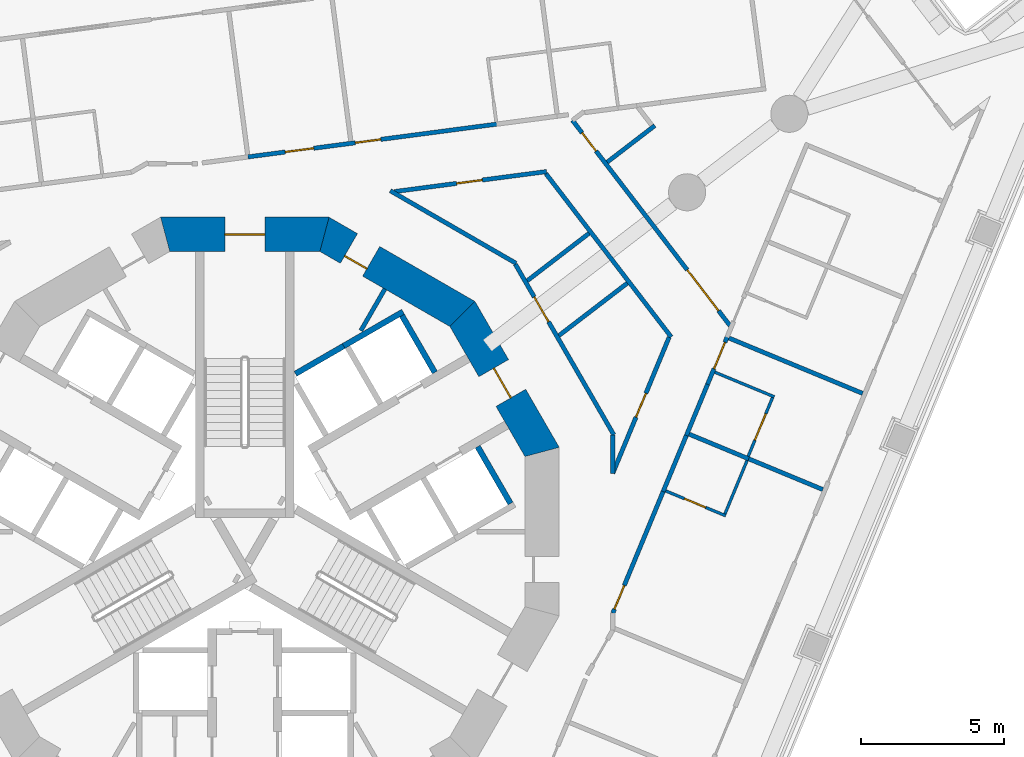
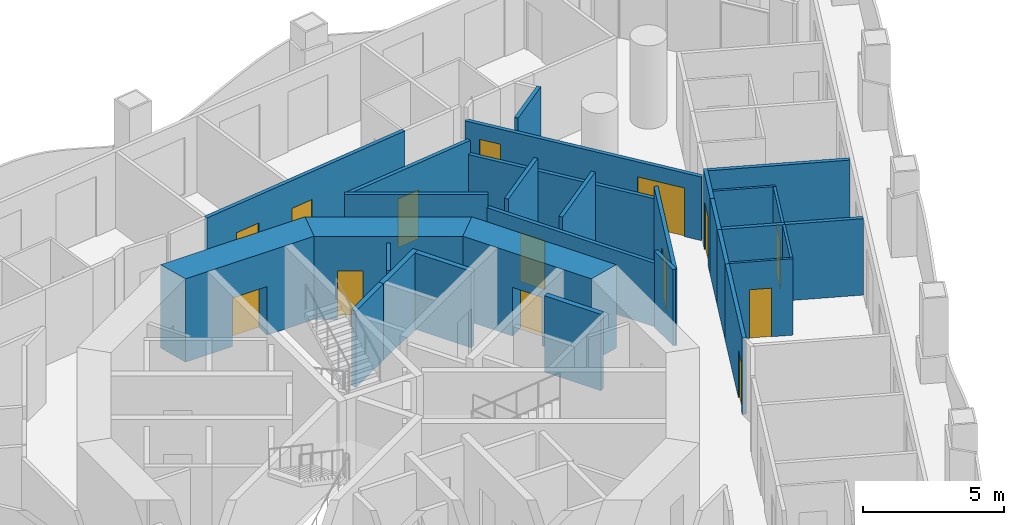
# One storey, part 9 of 19: 30 walls, 14 doors, 14 openings.
"""IFC4 building model written with IfcOpenShell, lengths in metres."""

from ifc_helpers import new_model, si_unit, direction, frame, frame_2d, origin, place, context, subcontext, project, spatial, polyline, rectangle, outline, extrude, material, layer, layer_set, type_object, element, fill, save


model = new_model("IFC4")

# Units and contexts
model_context = context("Model", 3, precision=1e-05, world=origin(), true_north=direction((0.0, 1.0)))
body_context = subcontext(model_context, "Body", "Model", "MODEL_VIEW")
ifc_project = project(units=[si_unit("LENGTHUNIT", "METRE"), si_unit("AREAUNIT", "SQUARE_METRE"), si_unit("VOLUMEUNIT", "CUBIC_METRE"), si_unit("PLANEANGLEUNIT", "RADIAN"), si_unit("MASSUNIT", "GRAM", prefix="KILO")], contexts=[model_context])

# Site, building, storey
site_placement = place(None, origin())
site = spatial("IfcSite", under=ifc_project, at=site_placement, CompositionType="ELEMENT")
building_placement = place(site_placement, origin())
building = spatial("IfcBuilding", under=site, at=building_placement, Name="Trine Commons Tower", CompositionType="ELEMENT")
storey_placement = place(building_placement, frame((0.0, 0.0, 64.800048828125)))
storey = spatial("IfcBuildingStorey", under=building, at=storey_placement, Name="L15", CompositionType="ELEMENT", Elevation=64.800048828125)

# Wall
ifc_material_1 = material(Name="Plasterboard partition on steel studs", Category="steel")
ifc_layer_1 = layer(ifc_material_1, 0.14990234375)
ifc_layer_set_1 = layer_set([ifc_layer_1], Name="Plasterboard partition on steel studs")
wall_type_1 = type_object("IfcWallType", Name="Core room partition 150 mm, EI 60", PredefinedType="PARTITIONING", material=ifc_layer_set_1)
wall_1_placement = place(storey_placement, frame((84.905029296875, 70.9970703125, 0.0), z_axis=(0.0, 0.0, 1.0), x_axis=(-0.500115728942, -0.865958577338, 0.0)))
element("IfcWall", 1, at=wall_1_placement, inside=storey, type_object=wall_type_1, Name="Core room partition L15", PredefinedType="PARTITIONING", context=body_context, shape_type="SweptSolid", body=[
    extrude(rectangle(XDim=1.68359375, YDim=0.14990234375, at=frame_2d((0.841796875, 0.0))), origin(), (0.0, 0.0, 1.0), 3.300048828125),
])

# Wall, opening, door
ifc_material_2 = material(Name="Concrete C80/95", Category="concrete")
ifc_layer_2 = layer(ifc_material_2, 1.199951171875)
ifc_layer_set_2 = layer_set([ifc_layer_2], Name="Concrete C80/95")
wall_type_2 = type_object("IfcWallType", Name="RC shear wall 1200 mm, C80/95", PredefinedType="SHEAR", material=ifc_layer_set_2)
wall_2_placement = place(storey_placement, frame((90.491943359375, 65.150390625, 0.0), z_axis=(0.0, 0.0, 1.0), x_axis=(-0.499979111662, 0.866037463336, 0.0)))
wall_2 = element("IfcWall", 2, at=wall_2_placement, inside=storey, type_object=wall_type_2, Name="Core wall CWB-02 L15", PredefinedType="SHEAR", context=body_context, shape_type="SweptSolid", body=[
    extrude(outline(polyline([(0.0, -0.60009765625), (5.901123046875, -0.60009765625), (5.57958984375, 0.60009765625), (0.321533203125, 0.60009765625), (0.0, -0.60009765625)])), origin(), (0.0, 0.0, 1.0), 3.599853515625),
])
opening_1_placement = place(wall_2_placement, frame((2.3505859375, 0.0, 0.0)))
opening_1 = element("IfcOpeningElement", 3, at=opening_1_placement, cuts=wall_2, Name="Opening K06.04", PredefinedType="OPENING", context=body_context, shape_type="SweptSolid", body=[
    extrude(rectangle(XDim=1.199951171875, YDim=2.10009765625, at=frame_2d((0.60009765625, 1.050048828125))), frame((0.0, 0.60986328125, 0.0), z_axis=(0.0, -1.0, 0.0), x_axis=(1.0, 0.0, 0.0)), (0.0, 0.0, 1.0), 1.219970703125),
])
ifc_material_3 = material(Name="Steel door leaves, fire-rated", Category="steel")
door_type_1 = type_object("IfcDoorType", Name="Lobby door, double leaf 1200 x 2100, FD60", OperationType="DOUBLE_DOOR_SINGLE_SWING", PredefinedType="DOOR", material=ifc_material_3)
door_1_placement = place(opening_1_placement, origin())
door_1 = element("IfcDoor", 4, at=door_1_placement, inside=storey, type_object=door_type_1, Name="Lobby door, Passenger lift lobby A L15", OperationType="DOUBLE_DOOR_SINGLE_SWING", OverallHeight=2.10009765625, OverallWidth=1.199951171875, PredefinedType="DOOR", context=body_context, shape_type="SweptSolid", body=[
    extrude(rectangle(XDim=1.199951171875, YDim=2.10009765625, at=frame_2d((0.60009765625, 1.050048828125))), frame((0.0, 0.02490234375, 0.0), z_axis=(0.0, -1.0, 0.0), x_axis=(1.0, 0.0, 0.0)), (0.0, 0.0, 1.0), 0.050048828125),
])
fill(opening_1, door_1)

wall_3_placement = place(storey_placement, frame((87.760986328125, 70.04150390625, 0.0), z_axis=(0.0, 0.0, 1.0), x_axis=(-0.866037463336, 0.499979111662, 0.0)))
wall_3 = element("IfcWall", 5, at=wall_3_placement, inside=storey, type_object=wall_type_2, Name="Core wall CWB-03 L15", PredefinedType="SHEAR", context=body_context, shape_type="SweptSolid", body=[
    extrude(outline(polyline([(0.0, -0.60009765625), (5.901123046875, -0.60009765625), (5.57958984375, 0.60009765625), (0.321533203125, 0.60009765625), (0.0, -0.60009765625)])), origin(), (0.0, 0.0, 1.0), 3.599853515625),
])
opening_2_placement = place(wall_3_placement, frame((3.8515625, 0.0, 0.0)))
opening_2 = element("IfcOpeningElement", 6, at=opening_2_placement, cuts=wall_3, Name="Opening K06.12", PredefinedType="OPENING", context=body_context, shape_type="SweptSolid", body=[
    extrude(rectangle(XDim=0.89990234375, YDim=2.10009765625, at=frame_2d((0.449951171875, 1.050048828125))), frame((0.0, 0.60986328125, 0.0), z_axis=(0.0, -1.0, 0.0), x_axis=(1.0, 0.0, 0.0)), (0.0, 0.0, 1.0), 1.219970703125),
])
ifc_material_4 = material(Name="Steel door leaf, fire-rated", Category="steel")
door_type_2 = type_object("IfcDoorType", Name="Core room door, single leaf 900 x 2100, FD30S", OperationType="SINGLE_SWING_LEFT", PredefinedType="DOOR", material=ifc_material_4)
door_2_placement = place(opening_2_placement, origin())
door_2 = element("IfcDoor", 7, at=door_2_placement, inside=storey, type_object=door_type_2, Name="Door to Cleaner's store L15", OperationType="SINGLE_SWING_RIGHT", OverallHeight=2.10009765625, OverallWidth=0.89990234375, PredefinedType="DOOR", context=body_context, shape_type="SweptSolid", body=[
    extrude(rectangle(XDim=0.89990234375, YDim=2.10009765625, at=frame_2d((0.449951171875, 1.050048828125))), frame((0.0, 0.3251953125, 0.0), z_axis=(0.0, -1.0, 0.0), x_axis=(1.0, 0.0, 0.0)), (0.0, 0.0, 1.0), 0.050048828125),
])
fill(opening_2, door_2)

wall_4_placement = place(storey_placement, frame((82.950439453125, 72.91162109375, 0.0), z_axis=(0.0, 0.0, 1.0), x_axis=(-1.0, 0.0, 0.0)))
wall_4 = element("IfcWall", 8, at=wall_4_placement, inside=storey, type_object=wall_type_2, Name="Core wall CWB-04 L15", PredefinedType="SHEAR", context=body_context, shape_type="SweptSolid", body=[
    extrude(outline(polyline([(0.0, -0.60009765625), (5.90087890625, -0.60009765625), (5.57958984375, 0.60009765625), (0.321533203125, 0.60009765625), (0.0, -0.60009765625)])), origin(), (0.0, 0.0, 1.0), 3.599853515625),
])
opening_3_placement = place(wall_4_placement, frame((2.25048828125, 0.0, 0.0)))
opening_3 = element("IfcOpeningElement", 9, at=opening_3_placement, cuts=wall_4, Name="Opening K06.01", PredefinedType="OPENING", context=body_context, shape_type="SweptSolid", body=[
    extrude(rectangle(XDim=1.39990234375, YDim=2.10009765625, at=frame_2d((0.699951171875, 1.050048828125))), frame((0.0, 0.60986328125, 0.0), z_axis=(0.0, -1.0, 0.0), x_axis=(1.0, 0.0, 0.0)), (0.0, 0.0, 1.0), 1.219970703125),
])
door_type_3 = type_object("IfcDoorType", Name="Stair door, double leaf 1400 x 2100, FD90", OperationType="DOUBLE_DOOR_SINGLE_SWING", PredefinedType="DOOR", material=ifc_material_3)
door_3_placement = place(opening_3_placement, origin())
door_3 = element("IfcDoor", 10, at=door_3_placement, inside=storey, type_object=door_type_3, Name="Stair door to Exit stair ST1A L15", OperationType="DOUBLE_DOOR_SINGLE_SWING", OverallHeight=2.10009765625, OverallWidth=1.39990234375, PredefinedType="DOOR", context=body_context, shape_type="SweptSolid", body=[
    extrude(rectangle(XDim=1.39990234375, YDim=2.10009765625, at=frame_2d((0.699951171875, 1.050048828125))), frame((0.0, 0.02490234375, 0.0), z_axis=(0.0, -1.0, 0.0), x_axis=(1.0, 0.0, 0.0)), (0.0, 0.0, 1.0), 0.050048828125),
])
fill(opening_3, door_3)

# Walls
ifc_material_5 = material(Name="Fire-rated gypsum shaft wall system")
ifc_layer_3 = layer(ifc_material_5, 0.199951171875)
ifc_layer_set_3 = layer_set([ifc_layer_3], Name="Fire-rated gypsum shaft wall system")
wall_type_3 = type_object("IfcWallType", Name="Shaft wall 200 mm, EI 120", PredefinedType="PARTITIONING", material=ifc_layer_set_3)
wall_5_placement = place(storey_placement, frame((81.77490234375, 68.028076171875, 0.0), z_axis=(0.0, 0.0, 1.0), x_axis=(0.866052014814, 0.499953905513, 0.0)))
element("IfcWall", 11, at=wall_5_placement, inside=storey, type_object=wall_type_3, Name="Shaft wall L15", PredefinedType="PARTITIONING", context=body_context, shape_type="SweptSolid", body=[
    extrude(rectangle(XDim=1.947998046875, YDim=0.199951171875, at=frame_2d((0.97412109375, 0.0))), origin(), (0.0, 0.0, 1.0), 3.300048828125),
])
wall_6_placement = place(storey_placement, frame((83.4619140625, 69.001953125, 0.0), z_axis=(0.0, 0.0, 1.0), x_axis=(0.866202511239, 0.499693115345, 0.0)))
element("IfcWall", 12, at=wall_6_placement, inside=storey, type_object=wall_type_3, Name="Shaft wall L15", PredefinedType="PARTITIONING", context=body_context, shape_type="SweptSolid", body=[
    extrude(rectangle(XDim=2.4013671875, YDim=0.199951171875, at=frame_2d((1.20068359375, 0.0))), origin(), (0.0, 0.0, 1.0), 3.300048828125),
])
wall_7_placement = place(storey_placement, frame((86.655029296875, 68.073974609375, 0.0), z_axis=(0.0, 0.0, 1.0), x_axis=(-0.500215680983, 0.865900844496, 0.0)))
element("IfcWall", 13, at=wall_7_placement, inside=storey, type_object=wall_type_3, Name="Shaft wall L15", PredefinedType="PARTITIONING", context=body_context, shape_type="SweptSolid", body=[
    extrude(rectangle(XDim=2.29931640625, YDim=0.199951171875, at=frame_2d((1.149658203125, 0.0))), origin(), (0.0, 0.0, 1.0), 3.300048828125),
])
wall_8_placement = place(storey_placement, frame((88.155029296875, 65.47607421875, 0.0), z_axis=(0.0, 0.0, 1.0), x_axis=(0.500136062276, -0.86594683394, 0.0)))
element("IfcWall", 14, at=wall_8_placement, inside=storey, type_object=wall_type_3, Name="Shaft wall L15", PredefinedType="PARTITIONING", context=body_context, shape_type="SweptSolid", body=[
    extrude(rectangle(XDim=2.299072265625, YDim=0.199951171875, at=frame_2d((1.1494140625, 0.0))), origin(), (0.0, 0.0, 1.0), 3.300048828125),
])

# Wall, openings, doors
ifc_material_6 = material(Name="Gypsum plasterboard on steel stud", Category="steel")
ifc_layer_4 = layer(ifc_material_6, 0.14990234375)
ifc_layer_set_4 = layer_set([ifc_layer_4], Name="Gypsum plasterboard on steel stud")
wall_type_4 = type_object("IfcWallType", Name="Unit and corridor wall 150 mm, EI 60", PredefinedType="PARTITIONING", material=ifc_layer_set_4)
wall_9_placement = place(storey_placement, frame((80.10595703125, 75.623046875, 0.0), z_axis=(0.0, 0.0, 1.0), x_axis=(0.991433413037, 0.130613121525, 0.0)))
wall_9 = element("IfcWall", 15, at=wall_9_placement, inside=storey, type_object=wall_type_4, Name="Partition 081", PredefinedType="PARTITIONING", context=body_context, shape_type="SweptSolid", body=[
    extrude(rectangle(XDim=8.83935546875, YDim=0.14990234375, at=frame_2d((4.419677734375, 0.0))), origin(), (0.0, 0.0, 1.0), 3.300048828125),
])
opening_4_placement = place(wall_9_placement, frame((1.32568359375, 0.0, 0.0)))
opening_4 = element("IfcOpeningElement", 16, at=opening_4_placement, cuts=wall_9, Name="Opening D-2B11", PredefinedType="OPENING", context=body_context, shape_type="SweptSolid", body=[
    extrude(rectangle(XDim=1.0, YDim=2.10009765625, at=frame_2d((0.5, 1.050048828125))), frame((0.0, 0.0849609375, 0.0), z_axis=(0.0, -1.0, 0.0), x_axis=(1.0, 0.0, 0.0)), (0.0, 0.0, 1.0), 0.169921875),
])
opening_5_placement = place(wall_9_placement, frame((3.79736328125, 0.0, 0.0)))
opening_5 = element("IfcOpeningElement", 17, at=opening_5_placement, cuts=wall_9, Name="Opening D-2B12", PredefinedType="OPENING", context=body_context, shape_type="SweptSolid", body=[
    extrude(rectangle(XDim=0.89990234375, YDim=2.10009765625, at=frame_2d((0.449951171875, 1.050048828125))), frame((0.0, 0.0849609375, 0.0), z_axis=(0.0, -1.0, 0.0), x_axis=(1.0, 0.0, 0.0)), (0.0, 0.0, 1.0), 0.169921875),
])
ifc_material_7 = material(Name="Painted timber", Category="wood")
door_type_4 = type_object("IfcDoorType", Name="Amenity room door 1000 x 2100, NOT RATED", OperationType="NOTDEFINED", PredefinedType="DOOR", material=ifc_material_7)
door_4_placement = place(opening_4_placement, origin())
door_4 = element("IfcDoor", 18, at=door_4_placement, inside=storey, type_object=door_type_4, Name="Door D-2B11", OperationType="SINGLE_SWING_LEFT", OverallHeight=2.10009765625, OverallWidth=1.0, PredefinedType="DOOR", context=body_context, shape_type="SweptSolid", body=[
    extrude(rectangle(XDim=1.0, YDim=2.10009765625, at=frame_2d((0.5, 1.050048828125))), frame((0.0, 0.02490234375, 0.0), z_axis=(0.0, -1.0, 0.0), x_axis=(1.0, 0.0, 0.0)), (0.0, 0.0, 1.0), 0.050048828125),
])
fill(opening_4, door_4)
ifc_material_8 = material(Name="Timber fire door set", Category="wood")
door_type_5 = type_object("IfcDoorType", Name="Bedroom door 900 x 2100, FD30S", OperationType="NOTDEFINED", PredefinedType="DOOR", material=ifc_material_8)
door_5_placement = place(opening_5_placement, origin())
door_5 = element("IfcDoor", 19, at=door_5_placement, inside=storey, type_object=door_type_5, Name="Door D-2B12", OperationType="SINGLE_SWING_LEFT", OverallHeight=2.10009765625, OverallWidth=0.89990234375, PredefinedType="DOOR", context=body_context, shape_type="SweptSolid", body=[
    extrude(rectangle(XDim=0.89990234375, YDim=2.10009765625, at=frame_2d((0.449951171875, 1.050048828125))), frame((0.0, 0.02490234375, 0.0), z_axis=(0.0, -1.0, 0.0), x_axis=(1.0, 0.0, 0.0)), (0.0, 0.0, 1.0), 0.050048828125),
])
fill(opening_5, door_5)

# Wall
wall_10_placement = place(storey_placement, frame((85.095947265625, 74.4384765625, 0.0), z_axis=(0.0, 0.0, 1.0), x_axis=(0.866036051865, -0.49998155653, 0.0)))
element("IfcWall", 20, at=wall_10_placement, inside=storey, type_object=wall_type_4, Name="Partition 091", PredefinedType="PARTITIONING", context=body_context, shape_type="SweptSolid", body=[
    extrude(rectangle(XDim=5.084228515625, YDim=0.14990234375, at=frame_2d((2.5419921875, 0.0))), origin(), (0.0, 0.0, 1.0), 3.300048828125),
])

# Wall, opening, door
wall_11_placement = place(storey_placement, frame((85.23828125, 74.40869140625, 0.0), z_axis=(0.0, 0.0, 1.0), x_axis=(0.991440693098, 0.130557849512, 0.0)))
wall_11 = element("IfcWall", 21, at=wall_11_placement, inside=storey, type_object=wall_type_4, Name="Partition 093", PredefinedType="PARTITIONING", context=body_context, shape_type="SweptSolid", body=[
    extrude(rectangle(XDim=5.378173828125, YDim=0.14990234375, at=frame_2d((2.68896484375, 0.0))), origin(), (0.0, 0.0, 1.0), 3.300048828125),
])
opening_6_placement = place(wall_11_placement, frame((2.201416015625, 0.0, 0.0)))
opening_6 = element("IfcOpeningElement", 22, at=opening_6_placement, cuts=wall_11, Name="Opening D-2B33", PredefinedType="OPENING", context=body_context, shape_type="SweptSolid", body=[
    extrude(rectangle(XDim=0.89990234375, YDim=2.10009765625, at=frame_2d((0.449951171875, 1.050048828125))), frame((0.0, 0.0849609375, 0.0), z_axis=(0.0, -1.0, 0.0), x_axis=(1.0, 0.0, 0.0)), (0.0, 0.0, 1.0), 0.169921875),
])
door_type_6 = type_object("IfcDoorType", Name="Service door 900 x 2100, FD30S", OperationType="NOTDEFINED", PredefinedType="DOOR", material=ifc_material_8)
door_6_placement = place(opening_6_placement, frame((0.89990234375, 0.0, 0.0), z_axis=(0.0, 0.0, 1.0), x_axis=(-1.0, 0.0, 0.0)))
door_6 = element("IfcDoor", 23, at=door_6_placement, inside=storey, type_object=door_type_6, Name="Door D-2B33", OperationType="SINGLE_SWING_RIGHT", OverallHeight=2.10009765625, OverallWidth=0.89990234375, PredefinedType="DOOR", context=body_context, shape_type="SweptSolid", body=[
    extrude(rectangle(XDim=0.89990234375, YDim=2.10009765625, at=frame_2d((0.449951171875, 1.050048828125))), frame((0.0, 0.02490234375, 0.0), z_axis=(0.0, -1.0, 0.0), x_axis=(1.0, 0.0, 0.0)), (0.0, 0.0, 1.0), 0.050048828125),
])
fill(opening_6, door_6)

wall_12_placement = place(storey_placement, frame((89.471435546875, 71.868896484375, 0.0), z_axis=(0.0, 0.0, 1.0), x_axis=(0.50000193825, -0.866024284732, 0.0)))
wall_12 = element("IfcWall", 24, at=wall_12_placement, inside=storey, type_object=wall_type_4, Name="Partition 110", PredefinedType="PARTITIONING", context=body_context, shape_type="SweptSolid", body=[
    extrude(rectangle(XDim=6.90625, YDim=0.14990234375, at=frame_2d((3.453125, 0.0))), origin(), (0.0, 0.0, 1.0), 2.75),
])
opening_7_placement = place(wall_12_placement, frame((1.3330078125, 0.0, 0.0)))
opening_7 = element("IfcOpeningElement", 25, at=opening_7_placement, cuts=wall_12, Name="Opening D-2B37", PredefinedType="OPENING", context=body_context, shape_type="SweptSolid", body=[
    extrude(rectangle(XDim=1.0, YDim=2.10009765625, at=frame_2d((0.5, 1.050048828125))), frame((0.0, 0.0849609375, 0.0), z_axis=(0.0, -1.0, 0.0), x_axis=(1.0, 0.0, 0.0)), (0.0, 0.0, 1.0), 0.169921875),
])
door_type_7 = type_object("IfcDoorType", Name="Toilet door 1000 x 2100, NOT RATED", OperationType="NOTDEFINED", PredefinedType="DOOR", material=ifc_material_7)
door_7_placement = place(opening_7_placement, origin())
door_7 = element("IfcDoor", 26, at=door_7_placement, inside=storey, type_object=door_type_7, Name="Door D-2B37", OperationType="SINGLE_SWING_LEFT", OverallHeight=2.10009765625, OverallWidth=1.0, PredefinedType="DOOR", context=body_context, shape_type="SweptSolid", body=[
    extrude(rectangle(XDim=1.0, YDim=2.10009765625, at=frame_2d((0.5, 1.050048828125))), frame((0.0, 0.02490234375, 0.0), z_axis=(0.0, -1.0, 0.0), x_axis=(1.0, 0.0, 0.0)), (0.0, 0.0, 1.0), 0.050048828125),
])
fill(opening_7, door_7)

# Walls
wall_13_placement = place(storey_placement, frame((89.892578125, 71.28759765625, 0.0), z_axis=(0.0, 0.0, 1.0), x_axis=(0.793249929781, 0.608896172515, 0.0)))
element("IfcWall", 27, at=wall_13_placement, inside=storey, type_object=wall_type_4, Name="Partition 111", PredefinedType="PARTITIONING", context=body_context, shape_type="SweptSolid", body=[
    extrude(rectangle(XDim=2.72412109375, YDim=0.14990234375, at=frame_2d((1.362060546875, 0.0))), origin(), (0.0, 0.0, 1.0), 3.300048828125),
])
wall_14_placement = place(storey_placement, frame((90.541748046875, 75.04150390625, 0.0), z_axis=(0.0, 0.0, 1.0), x_axis=(0.608724186816, -0.793381915842, 0.0)))
element("IfcWall", 28, at=wall_14_placement, inside=storey, type_object=wall_type_4, Name="Partition 115", PredefinedType="PARTITIONING", context=body_context, shape_type="SweptSolid", body=[
    extrude(rectangle(XDim=7.21484375, YDim=0.14990234375, at=frame_2d((3.607421875, 0.0))), origin(), (0.0, 0.0, 1.0), 2.75),
])
wall_15_placement = place(storey_placement, frame((91.00146484375, 69.36669921875, 0.0), z_axis=(0.0, 0.0, 1.0), x_axis=(0.79348121318, 0.608594745565, 0.0)))
element("IfcWall", 29, at=wall_15_placement, inside=storey, type_object=wall_type_4, Name="Partition 119", PredefinedType="PARTITIONING", context=body_context, shape_type="SweptSolid", body=[
    extrude(rectangle(XDim=3.0146484375, YDim=0.14990234375, at=frame_2d((1.50732421875, 0.0))), origin(), (0.0, 0.0, 1.0), 3.300048828125),
])

# Wall, openings, doors
wall_16_placement = place(storey_placement, frame((91.47412109375, 76.906005859375, 0.0), z_axis=(0.0, 0.0, 1.0), x_axis=(0.608691769464, -0.793406787081, 0.0)))
wall_16 = element("IfcWall", 30, at=wall_16_placement, inside=storey, type_object=wall_type_4, Name="Partition 123", PredefinedType="PARTITIONING", context=body_context, shape_type="SweptSolid", body=[
    extrude(rectangle(XDim=9.05908203125, YDim=0.14990234375, at=frame_2d((4.529541015625, 0.0))), origin(), (0.0, 0.0, 1.0), 2.75),
])
opening_8_placement = place(wall_16_placement, frame((6.606201171875, 0.0, 0.0)))
opening_8 = element("IfcOpeningElement", 31, at=opening_8_placement, cuts=wall_16, Name="Opening D-2B01", PredefinedType="OPENING", context=body_context, shape_type="SweptSolid", body=[
    extrude(rectangle(XDim=1.800048828125, YDim=2.10009765625, at=frame_2d((0.89990234375, 1.050048828125))), frame((0.0, 0.0849609375, 0.0), z_axis=(0.0, -1.0, 0.0), x_axis=(1.0, 0.0, 0.0)), (0.0, 0.0, 1.0), 0.169921875),
])
opening_9_placement = place(wall_16_placement, frame((0.553955078125, 0.0, 0.0)))
opening_9 = element("IfcOpeningElement", 32, at=opening_9_placement, cuts=wall_16, Name="Opening D-2B04", PredefinedType="OPENING", context=body_context, shape_type="SweptSolid", body=[
    extrude(rectangle(XDim=0.800048828125, YDim=2.10009765625, at=frame_2d((0.39990234375, 1.050048828125))), frame((0.0, 0.0849609375, 0.0), z_axis=(0.0, -1.0, 0.0), x_axis=(1.0, 0.0, 0.0)), (0.0, 0.0, 1.0), 0.169921875),
])
door_type_8 = type_object("IfcDoorType", Name="Cluster entrance door 1800 x 2100, double leaf, FD30S", OperationType="DOUBLE_DOOR_DOUBLE_SWING", PredefinedType="DOOR", material=ifc_material_8)
door_8_placement = place(opening_8_placement, origin())
door_8 = element("IfcDoor", 33, at=door_8_placement, inside=storey, type_object=door_type_8, Name="Door D-2B01", OperationType="DOUBLE_DOOR_DOUBLE_SWING", OverallHeight=2.10009765625, OverallWidth=1.800048828125, PredefinedType="DOOR", context=body_context, shape_type="SweptSolid", body=[
    extrude(rectangle(XDim=1.800048828125, YDim=2.10009765625, at=frame_2d((0.89990234375, 1.050048828125))), frame((0.0, 0.02490234375, 0.0), z_axis=(0.0, -1.0, 0.0), x_axis=(1.0, 0.0, 0.0)), (0.0, 0.0, 1.0), 0.050048828125),
])
fill(opening_8, door_8)
door_type_9 = type_object("IfcDoorType", Name="Toilet door 800 x 2100, NOT RATED", OperationType="NOTDEFINED", PredefinedType="DOOR", material=ifc_material_7)
door_9_placement = place(opening_9_placement, origin())
door_9 = element("IfcDoor", 34, at=door_9_placement, inside=storey, type_object=door_type_9, Name="Door D-2B04", OperationType="SINGLE_SWING_LEFT", OverallHeight=2.10009765625, OverallWidth=0.800048828125, PredefinedType="DOOR", context=body_context, shape_type="SweptSolid", body=[
    extrude(rectangle(XDim=0.800048828125, YDim=2.10009765625, at=frame_2d((0.39990234375, 1.050048828125))), frame((0.0, 0.02490234375, 0.0), z_axis=(0.0, -1.0, 0.0), x_axis=(1.0, 0.0, 0.0)), (0.0, 0.0, 1.0), 0.050048828125),
])
fill(opening_9, door_9)

# Wall
wall_17_placement = place(storey_placement, frame((92.6923828125, 75.440673828125, 0.0), z_axis=(0.0, 0.0, 1.0), x_axis=(0.793198338244, 0.608963378379, 0.0)))
element("IfcWall", 35, at=wall_17_placement, inside=storey, type_object=wall_type_4, Name="Partition 127", PredefinedType="PARTITIONING", context=body_context, shape_type="SweptSolid", body=[
    extrude(rectangle(XDim=2.100341796875, YDim=0.14990234375, at=frame_2d((1.05029296875, 0.0))), origin(), (0.0, 0.0, 1.0), 3.300048828125),
])

# Wall, opening, door
wall_18_placement = place(storey_placement, frame((92.886962890625, 59.64599609375, 0.0), z_axis=(0.0, 0.0, 1.0), x_axis=(0.382616615048, 0.92390720632, 0.0)))
wall_18 = element("IfcWall", 36, at=wall_18_placement, inside=storey, type_object=wall_type_4, Name="Partition 131", PredefinedType="PARTITIONING", context=body_context, shape_type="SweptSolid", body=[
    extrude(rectangle(XDim=4.668212890625, YDim=0.14990234375, at=frame_2d((2.333984375, 0.0))), origin(), (0.0, 0.0, 1.0), 3.300048828125),
])
opening_10_placement = place(wall_18_placement, frame((0.150146484375, 0.0, 0.0)))
opening_10 = element("IfcOpeningElement", 37, at=opening_10_placement, cuts=wall_18, Name="Opening D-2B17", PredefinedType="OPENING", context=body_context, shape_type="SweptSolid", body=[
    extrude(rectangle(XDim=0.89990234375, YDim=2.10009765625, at=frame_2d((0.449951171875, 1.050048828125))), frame((0.0, 0.0849609375, 0.0), z_axis=(0.0, -1.0, 0.0), x_axis=(1.0, 0.0, 0.0)), (0.0, 0.0, 1.0), 0.169921875),
])
door_10_placement = place(opening_10_placement, frame((0.89990234375, 0.0, 0.0), z_axis=(0.0, 0.0, 1.0), x_axis=(-1.0, 0.0, 0.0)))
door_10 = element("IfcDoor", 38, at=door_10_placement, inside=storey, type_object=door_type_5, Name="Door D-2B17", OperationType="SINGLE_SWING_RIGHT", OverallHeight=2.10009765625, OverallWidth=0.89990234375, PredefinedType="DOOR", context=body_context, shape_type="SweptSolid", body=[
    extrude(rectangle(XDim=0.89990234375, YDim=2.10009765625, at=frame_2d((0.449951171875, 1.050048828125))), frame((0.0, 0.02490234375, 0.0), z_axis=(0.0, -1.0, 0.0), x_axis=(1.0, 0.0, 0.0)), (0.0, 0.0, 1.0), 0.050048828125),
])
fill(opening_10, door_10)

# Wall
wall_19_placement = place(storey_placement, frame((92.886962890625, 64.5419921875, 0.0), z_axis=(0.0, 0.0, 1.0), x_axis=(0.0, 1.0, 0.0)))
element("IfcWall", 39, at=wall_19_placement, inside=storey, type_object=wall_type_4, Name="Partition 132", PredefinedType="PARTITIONING", context=body_context, shape_type="SweptSolid", body=[
    extrude(rectangle(XDim=1.3359375, YDim=0.14990234375, at=frame_2d((0.66796875, 0.0))), origin(), (0.0, 0.0, 1.0), 3.300048828125),
])

# Wall, opening, door
wall_20_placement = place(storey_placement, frame((92.886962890625, 64.5458984375, 0.0), z_axis=(0.0, 0.0, 1.0), x_axis=(0.382690656651, 0.923876540081, 0.0)))
wall_20 = element("IfcWall", 40, at=wall_20_placement, inside=storey, type_object=wall_type_4, Name="Partition 133", PredefinedType="PARTITIONING", context=body_context, shape_type="SweptSolid", body=[
    extrude(rectangle(XDim=5.154052734375, YDim=0.14990234375, at=frame_2d((2.5771484375, 0.0))), origin(), (0.0, 0.0, 1.0), 3.300048828125),
])
opening_11_placement = place(wall_20_placement, frame((2.126953125, 0.0, 0.0)))
opening_11 = element("IfcOpeningElement", 41, at=opening_11_placement, cuts=wall_20, Name="Opening D-2B34", PredefinedType="OPENING", context=body_context, shape_type="SweptSolid", body=[
    extrude(rectangle(XDim=0.89990234375, YDim=2.10009765625, at=frame_2d((0.449951171875, 1.050048828125))), frame((0.0, 0.0849609375, 0.0), z_axis=(0.0, -1.0, 0.0), x_axis=(1.0, 0.0, 0.0)), (0.0, 0.0, 1.0), 0.169921875),
])
door_11_placement = place(opening_11_placement, origin())
door_11 = element("IfcDoor", 42, at=door_11_placement, inside=storey, type_object=door_type_6, Name="Door D-2B34", OperationType="SINGLE_SWING_RIGHT", OverallHeight=2.10009765625, OverallWidth=0.89990234375, PredefinedType="DOOR", context=body_context, shape_type="SweptSolid", body=[
    extrude(rectangle(XDim=0.89990234375, YDim=2.10009765625, at=frame_2d((0.449951171875, 1.050048828125))), frame((0.0, 0.02490234375, 0.0), z_axis=(0.0, -1.0, 0.0), x_axis=(1.0, 0.0, 0.0)), (0.0, 0.0, 1.0), 0.050048828125),
])
fill(opening_11, door_11)

# Walls
wall_21_placement = place(storey_placement, frame((94.65087890625, 63.90478515625, 0.0), z_axis=(0.0, 0.0, 1.0), x_axis=(0.382722804604, 0.923863223013, 0.0)))
element("IfcWall", 43, at=wall_21_placement, inside=storey, type_object=wall_type_4, Name="Partition 138", PredefinedType="PARTITIONING", context=body_context, shape_type="SweptSolid", body=[
    extrude(rectangle(XDim=2.20849609375, YDim=0.14990234375, at=frame_2d((1.104248046875, 0.0))), origin(), (0.0, 0.0, 1.0), 3.300048828125),
])
wall_22_placement = place(storey_placement, frame((95.46435546875, 65.86767578125, 0.0), z_axis=(0.0, 0.0, 1.0), x_axis=(0.38256681744, 0.923927827373, 0.0)))
element("IfcWall", 44, at=wall_22_placement, inside=storey, type_object=wall_type_4, Name="Partition 140", PredefinedType="PARTITIONING", context=body_context, shape_type="SweptSolid", body=[
    extrude(rectangle(XDim=1.938720703125, YDim=0.14990234375, at=frame_2d((0.96923828125, 0.0))), origin(), (0.0, 0.0, 1.0), 3.300048828125),
])
wall_23_placement = place(storey_placement, frame((95.563232421875, 65.912353515625, 0.0), z_axis=(0.0, 0.0, 1.0), x_axis=(0.923983860805, -0.382431464412, 0.0)))
element("IfcWall", 45, at=wall_23_placement, inside=storey, type_object=wall_type_4, Name="Partition 141", PredefinedType="PARTITIONING", context=body_context, shape_type="SweptSolid", body=[
    extrude(rectangle(XDim=2.25537109375, YDim=0.14990234375, at=frame_2d((1.127685546875, 0.0))), origin(), (0.0, 0.0, 1.0), 3.300048828125),
])

# Wall, opening, door
wall_24_placement = place(storey_placement, frame((96.2060546875, 67.658935546875, 0.0), z_axis=(0.0, 0.0, 1.0), x_axis=(0.382317087309, 0.924031192521, 0.0)))
wall_24 = element("IfcWall", 46, at=wall_24_placement, inside=storey, type_object=wall_type_4, Name="Partition 142", PredefinedType="PARTITIONING", context=body_context, shape_type="SweptSolid", body=[
    extrude(rectangle(XDim=1.864013671875, YDim=0.14990234375, at=frame_2d((0.93212890625, 0.0))), origin(), (0.0, 0.0, 1.0), 3.300048828125),
])
opening_12_placement = place(wall_24_placement, frame((0.590087890625, 0.0, 0.0)))
opening_12 = element("IfcOpeningElement", 47, at=opening_12_placement, cuts=wall_24, Name="Opening D-2B16", PredefinedType="OPENING", context=body_context, shape_type="SweptSolid", body=[
    extrude(rectangle(XDim=1.0, YDim=2.10009765625, at=frame_2d((0.5, 1.050048828125))), frame((0.0, 0.0849609375, 0.0), z_axis=(0.0, -1.0, 0.0), x_axis=(1.0, 0.0, 0.0)), (0.0, 0.0, 1.0), 0.169921875),
])
door_type_10 = type_object("IfcDoorType", Name="Bedroom door 1000 x 2100, FD30S", OperationType="NOTDEFINED", PredefinedType="DOOR", material=ifc_material_8)
door_12_placement = place(opening_12_placement, frame((1.0, 0.0, 0.0), z_axis=(0.0, 0.0, 1.0), x_axis=(-1.0, 0.0, 0.0)))
door_12 = element("IfcDoor", 48, at=door_12_placement, inside=storey, type_object=door_type_10, Name="Door D-2B16", OperationType="SINGLE_SWING_LEFT", OverallHeight=2.10009765625, OverallWidth=1.0, PredefinedType="DOOR", context=body_context, shape_type="SweptSolid", body=[
    extrude(rectangle(XDim=1.0, YDim=2.10009765625, at=frame_2d((0.5, 1.050048828125))), frame((0.0, 0.02490234375, 0.0), z_axis=(0.0, -1.0, 0.0), x_axis=(1.0, 0.0, 0.0)), (0.0, 0.0, 1.0), 0.050048828125),
])
fill(opening_12, door_12)

# Walls
wall_25_placement = place(storey_placement, frame((96.957275390625, 69.279296875, 0.0), z_axis=(0.0, 0.0, 1.0), x_axis=(0.923879340067, -0.382683896966, 0.0)))
element("IfcWall", 49, at=wall_25_placement, inside=storey, type_object=wall_type_4, Name="Partition 146", PredefinedType="PARTITIONING", context=body_context, shape_type="SweptSolid", body=[
    extrude(rectangle(XDim=5.064208984375, YDim=0.14990234375, at=frame_2d((2.5322265625, 0.0))), origin(), (0.0, 0.0, 1.0), 3.300048828125),
])
wall_26_placement = place(storey_placement, frame((97.56982421875, 65.08203125, 0.0), z_axis=(0.0, 0.0, 1.0), x_axis=(0.923777070039, -0.38293070505, 0.0)))
element("IfcWall", 50, at=wall_26_placement, inside=storey, type_object=wall_type_4, Name="Partition 151", PredefinedType="PARTITIONING", context=body_context, shape_type="SweptSolid", body=[
    extrude(rectangle(XDim=2.892578125, YDim=0.14990234375, at=frame_2d((1.4462890625, 0.0))), origin(), (0.0, 0.0, 1.0), 3.300048828125),
])

# Wall, opening, door
ifc_layer_5 = layer(ifc_material_6, 0.10009765625)
ifc_layer_set_5 = layer_set([ifc_layer_5], Name="Gypsum plasterboard on steel stud")
wall_type_5 = type_object("IfcWallType", Name="Unit partition 100 mm, no rating", PredefinedType="PARTITIONING", material=ifc_layer_set_5)
wall_27_placement = place(storey_placement, frame((94.740234375, 63.92626953125, 0.0), z_axis=(0.0, 0.0, 1.0), x_axis=(0.923931833824, -0.382557141415, 0.0)))
wall_27 = element("IfcWall", 51, at=wall_27_placement, inside=storey, type_object=wall_type_5, Name="Partition 139", PredefinedType="PARTITIONING", context=body_context, shape_type="SweptSolid", body=[
    extrude(rectangle(XDim=2.275146484375, YDim=0.10009765625, at=frame_2d((1.1376953125, 0.0))), origin(), (0.0, 0.0, 1.0), 3.300048828125),
])
opening_13_placement = place(wall_27_placement, frame((0.71240234375, 0.0, 0.0)))
opening_13 = element("IfcOpeningElement", 52, at=opening_13_placement, cuts=wall_27, Name="Opening D-2B47", PredefinedType="OPENING", context=body_context, shape_type="SweptSolid", body=[
    extrude(rectangle(XDim=0.800048828125, YDim=2.10009765625, at=frame_2d((0.39990234375, 1.050048828125))), frame((0.0, 0.06005859375, 0.0), z_axis=(0.0, -1.0, 0.0), x_axis=(1.0, 0.0, 0.0)), (0.0, 0.0, 1.0), 0.1201171875),
])
door_type_11 = type_object("IfcDoorType", Name="Internal door 800 x 2100, NOT RATED", OperationType="NOTDEFINED", PredefinedType="DOOR", material=ifc_material_7)
door_13_placement = place(opening_13_placement, frame((0.800048828125, 0.0, 0.0), z_axis=(0.0, 0.0, 1.0), x_axis=(-1.0, 0.0, 0.0)))
door_13 = element("IfcDoor", 53, at=door_13_placement, inside=storey, type_object=door_type_11, Name="Door D-2B47", OperationType="SINGLE_SWING_RIGHT", OverallHeight=2.10009765625, OverallWidth=0.800048828125, PredefinedType="DOOR", context=body_context, shape_type="SweptSolid", body=[
    extrude(rectangle(XDim=0.800048828125, YDim=2.10009765625, at=frame_2d((0.39990234375, 1.050048828125))), frame((0.0, 0.02490234375, 0.0), z_axis=(0.0, -1.0, 0.0), x_axis=(1.0, 0.0, 0.0)), (0.0, 0.0, 1.0), 0.050048828125),
])
fill(opening_13, door_13)

# Walls
wall_28_placement = place(storey_placement, frame((96.46240234375, 68.083251953125, 0.0), z_axis=(0.0, 0.0, 1.0), x_axis=(0.92400628076, -0.382377291581, 0.0)))
element("IfcWall", 54, at=wall_28_placement, inside=storey, type_object=wall_type_5, Name="Partition 143", PredefinedType="PARTITIONING", context=body_context, shape_type="SweptSolid", body=[
    extrude(rectangle(XDim=2.255126953125, YDim=0.10009765625, at=frame_2d((1.12744140625, 0.0))), origin(), (0.0, 0.0, 1.0), 3.300048828125),
])
wall_29_placement = place(storey_placement, frame((96.815185546875, 63.12109375, 0.0), z_axis=(0.0, 0.0, 1.0), x_axis=(0.382816773578, 0.923824289498, 0.0)))
element("IfcWall", 55, at=wall_29_placement, inside=storey, type_object=wall_type_5, Name="Partition 144", PredefinedType="PARTITIONING", context=body_context, shape_type="SweptSolid", body=[
    extrude(rectangle(XDim=2.02490234375, YDim=0.10009765625, at=frame_2d((1.012451171875, 0.0))), origin(), (0.0, 0.0, 1.0), 3.300048828125),
])

# Wall, opening, door
wall_30_placement = place(storey_placement, frame((97.629638671875, 65.13818359375, 0.0), z_axis=(0.0, 0.0, 1.0), x_axis=(0.382619912847, 0.923905840599, 0.0)))
wall_30 = element("IfcWall", 56, at=wall_30_placement, inside=storey, type_object=wall_type_5, Name="Partition 150", PredefinedType="PARTITIONING", context=body_context, shape_type="SweptSolid", body=[
    extrude(rectangle(XDim=2.224853515625, YDim=0.10009765625, at=frame_2d((1.1123046875, 0.0))), origin(), (0.0, 0.0, 1.0), 3.300048828125),
])
opening_14_placement = place(wall_30_placement, frame((0.6123046875, 0.0, 0.0)))
opening_14 = element("IfcOpeningElement", 57, at=opening_14_placement, cuts=wall_30, Name="Opening D-2B46", PredefinedType="OPENING", context=body_context, shape_type="SweptSolid", body=[
    extrude(rectangle(XDim=1.0, YDim=2.10009765625, at=frame_2d((0.5, 1.050048828125))), frame((0.0, 0.06005859375, 0.0), z_axis=(0.0, -1.0, 0.0), x_axis=(1.0, 0.0, 0.0)), (0.0, 0.0, 1.0), 0.1201171875),
])
door_type_12 = type_object("IfcDoorType", Name="Internal door 1000 x 2100, NOT RATED", OperationType="NOTDEFINED", PredefinedType="DOOR", material=ifc_material_7)
door_14_placement = place(opening_14_placement, frame((1.0, 0.0, 0.0), z_axis=(0.0, 0.0, 1.0), x_axis=(-1.0, 0.0, 0.0)))
door_14 = element("IfcDoor", 58, at=door_14_placement, inside=storey, type_object=door_type_12, Name="Door D-2B46", OperationType="SINGLE_SWING_RIGHT", OverallHeight=2.10009765625, OverallWidth=1.0, PredefinedType="DOOR", context=body_context, shape_type="SweptSolid", body=[
    extrude(rectangle(XDim=1.0, YDim=2.10009765625, at=frame_2d((0.5, 1.050048828125))), frame((0.0, 0.02490234375, 0.0), z_axis=(0.0, -1.0, 0.0), x_axis=(1.0, 0.0, 0.0)), (0.0, 0.0, 1.0), 0.050048828125),
])
fill(opening_14, door_14)

save(model, "model.ifc")
